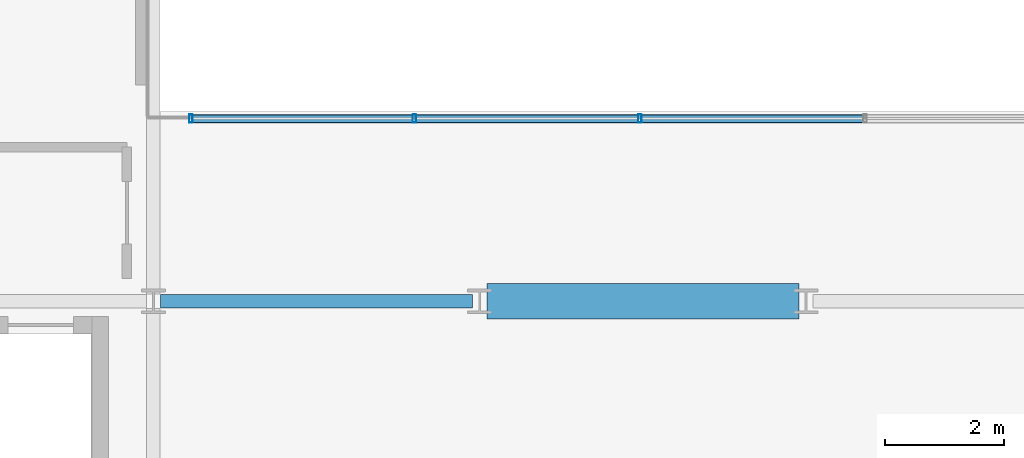
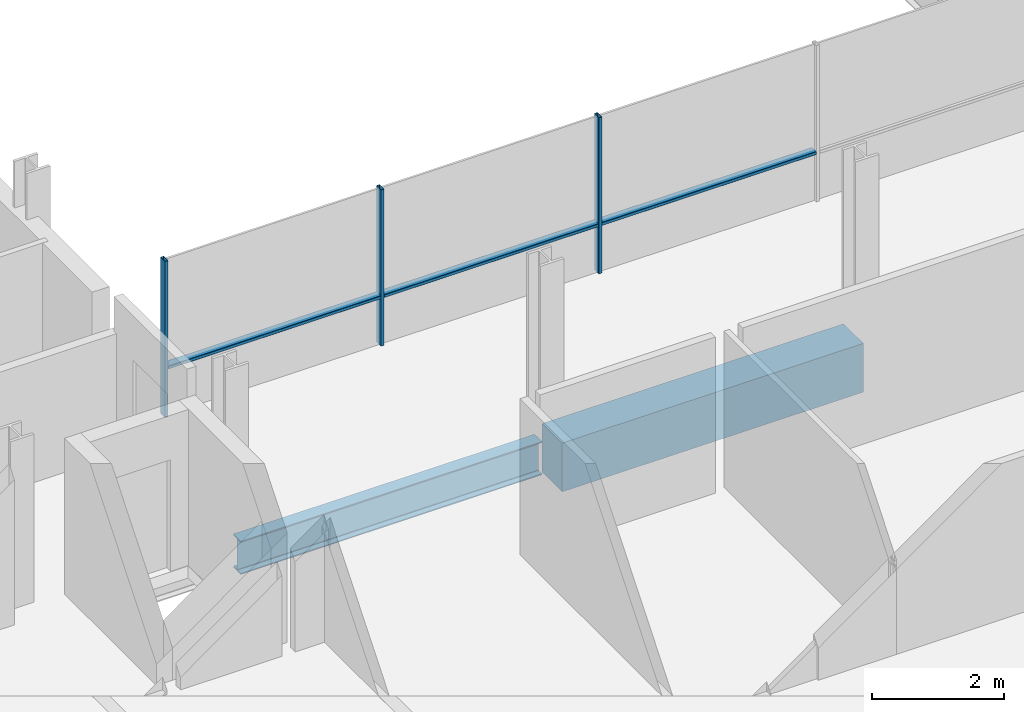
# One storey, part 4 of 41: 6 members, 2 beams, 1 element without a shape of its own.
"""IFC4 building model written with IfcOpenShell, lengths in metres."""

from ifc_helpers import new_model, si_unit, direction, frame, origin, origin_2d, place, context, subcontext, project, spatial, rectangle, hollow_rectangle, i_section, extrude, material, layer, layer_set, material_profile, profile_set, type_object, element, aggregate, save


model = new_model("IFC4")

# Units and contexts
model_context = context("Model", 3, precision=1e-05, world=origin(), true_north=direction((0.0, 1.0)))
body_context = subcontext(model_context, "Body", "Model", "MODEL_VIEW")
ifc_project = project(units=[si_unit("LENGTHUNIT", "METRE"), si_unit("AREAUNIT", "SQUARE_METRE"), si_unit("VOLUMEUNIT", "CUBIC_METRE"), si_unit("PLANEANGLEUNIT", "RADIAN"), si_unit("MASSUNIT", "GRAM", prefix="KILO")], contexts=[model_context])

# Site, building, storey
site_placement = place(None, origin())
site = spatial("IfcSite", under=ifc_project, at=site_placement, CompositionType="ELEMENT")
building_placement = place(site_placement, origin())
building = spatial("IfcBuilding", under=site, at=building_placement, Name="Brevholm Reach", CompositionType="ELEMENT")
storey_placement = place(building_placement, frame((0.0, 0.0, 106.60009765625)))
storey = spatial("IfcBuildingStorey", under=building, at=storey_placement, Name="L31", CompositionType="ELEMENT", Elevation=106.60009765625)

# Beams
ifc_material_1 = material(Name="Concrete C50/60", Category="concrete")
ifc_material_profile_1 = material_profile(ifc_material_1, rectangle(XDim=0.60009765625, YDim=0.89990234375, at=origin_2d()), Name="RC 600x900")
ifc_profile_set_1 = profile_set([ifc_material_profile_1], Name="Concrete C50/60")
beam_type_1 = type_object("IfcBeamType", Name="BM-CB600", PredefinedType="LINTEL", material=ifc_profile_set_1)
beam_1_placement = place(storey_placement, frame((27.3701171875, 10.0, -0.670166015625), z_axis=(1.0, 0.0, 0.0), x_axis=(0.0, 1.0, 0.0)))
element("IfcBeam", 1, at=beam_1_placement, inside=storey, type_object=beam_type_1, Name="L31 CB-02 Framing Beam", PredefinedType="LINTEL", context=body_context, shape_type="SweptSolid", body=[
    extrude(rectangle(XDim=0.60009765625, YDim=0.89990234375, at=origin_2d()), origin(), (0.0, 0.0, 1.0), 5.259765625),
])
ifc_material_2 = material(Name="Structural Steel S355J2", Category="steel")
ifc_material_profile_2 = material_profile(ifc_material_2, i_section(OverallWidth=0.22900390625, OverallDepth=0.6123046875, WebThickness=0.011962890625, FlangeThickness=0.01953125, FilletRadius=0.0126953125, at=origin_2d()), Name="UKB 610x229x125")
ifc_profile_set_2 = profile_set([ifc_material_profile_2], Name="Structural Steel S355J2")
beam_type_2 = type_object("IfcBeamType", Name="BM-SP610", PredefinedType="SPANDREL", material=ifc_profile_set_2)
beam_2_placement = place(storey_placement, frame((21.8701171875, 10.0, -0.526123046875), z_axis=(1.0, 0.0, 0.0), x_axis=(0.0, 1.0, 0.0)))
element("IfcBeam", 2, at=beam_2_placement, inside=storey, type_object=beam_type_2, Name="L31 SP-01 Framing Beam", PredefinedType="SPANDREL", context=body_context, shape_type="SweptSolid", body=[
    extrude(i_section(OverallWidth=0.22900390625, OverallDepth=0.6123046875, WebThickness=0.011962890625, FlangeThickness=0.01953125, FilletRadius=0.0126953125, at=origin_2d()), origin(), (0.0, 0.0, 1.0), 5.259765625),
])

# Curtain wall, members
ifc_material_3 = material(Name="Dark Anodised Aluminium 6063-T6 and Solar-Control Glass", Category="aluminium")
ifc_layer = layer(ifc_material_3, 0.139892578125)
ifc_layer_set = layer_set([ifc_layer], Name="Dark Anodised Aluminium 6063-T6 and Solar-Control Glass")
curtain_wall_type = type_object("IfcCurtainWallType", Name="CW-02", PredefinedType="NOTDEFINED", material=ifc_layer_set)
curtain_wall_placement = place(storey_placement, origin())
curtain_wall = element("IfcCurtainWall", 3, at=curtain_wall_placement, inside=storey, type_object=curtain_wall_type, Name="L31 Curtain Wall CW-02", PredefinedType="NOTDEFINED")
ifc_material_4 = material(Name="Dark Anodised Aluminium 6063-T6", Category="aluminium")
ifc_material_profile_3 = material_profile(ifc_material_4, hollow_rectangle(XDim=0.06005859375, YDim=0.139892578125, WallThickness=0.0048828125, InnerFilletRadius=0.0048828125, OuterFilletRadius=0.010009765625, at=origin_2d()), Name="RHS 140x60x5")
ifc_profile_set_3 = profile_set([ifc_material_profile_3], Name="Dark Anodised Aluminium 6063-T6")
member_type_1 = type_object("IfcMemberType", Name="CWM-140", PredefinedType="MULLION", material=ifc_profile_set_3)
member_1_placement = place(storey_placement, frame((22.3798828125, 13.080078125, 0.0), z_axis=(0.0, 0.0, 1.0), x_axis=(1.0, 0.0, 0.0)))
member_1 = element("IfcMember", 4, at=member_1_placement, type_object=member_type_1, Name="CM-140 Mullion 1", PredefinedType="MULLION", context=body_context, shape_type="SweptSolid", body=[
    extrude(hollow_rectangle(XDim=0.06005859375, YDim=0.139892578125, WallThickness=0.0048828125, InnerFilletRadius=0.0048828125, OuterFilletRadius=0.010009765625, at=origin_2d()), origin(), (0.0, 0.0, 1.0), 2.8798828125),
])
member_2_placement = place(storey_placement, frame((26.14990234375, 13.080078125, 0.0), z_axis=(0.0, 0.0, 1.0), x_axis=(1.0, 0.0, 0.0)))
member_2 = element("IfcMember", 5, at=member_2_placement, type_object=member_type_1, Name="CM-140 Mullion 2", PredefinedType="MULLION", context=body_context, shape_type="SweptSolid", body=[
    extrude(hollow_rectangle(XDim=0.06005859375, YDim=0.139892578125, WallThickness=0.0048828125, InnerFilletRadius=0.0048828125, OuterFilletRadius=0.010009765625, at=origin_2d()), origin(), (0.0, 0.0, 1.0), 2.8798828125),
])
member_3_placement = place(storey_placement, frame((29.949951171875, 13.080078125, 0.0), z_axis=(0.0, 0.0, 1.0), x_axis=(1.0, 0.0, 0.0)))
member_3 = element("IfcMember", 6, at=member_3_placement, type_object=member_type_1, Name="CM-140 Mullion 3", PredefinedType="MULLION", context=body_context, shape_type="SweptSolid", body=[
    extrude(hollow_rectangle(XDim=0.06005859375, YDim=0.139892578125, WallThickness=0.0048828125, InnerFilletRadius=0.0048828125, OuterFilletRadius=0.010009765625, at=origin_2d()), origin(), (0.0, 0.0, 1.0), 2.8798828125),
])
ifc_material_5 = material(Name="Dark Anodised Aluminium 6063-T6", Category="aluminium")
ifc_material_profile_4 = material_profile(ifc_material_5, hollow_rectangle(XDim=0.06005859375, YDim=0.139892578125, WallThickness=0.0048828125, InnerFilletRadius=0.0048828125, OuterFilletRadius=0.010009765625, at=origin_2d()), Name="RHS 140x60x5")
ifc_profile_set_4 = profile_set([ifc_material_profile_4], Name="Dark Anodised Aluminium 6063-T6")
member_type_2 = type_object("IfcMemberType", Name="CWT-140", PredefinedType="NOTDEFINED", material=ifc_profile_set_4)
member_4_placement = place(storey_placement, frame((22.409912109375, 13.080078125, 0.89990234375), z_axis=(1.0, 0.0, 0.0), x_axis=(0.0, 0.0, 1.0)))
member_4 = element("IfcMember", 7, at=member_4_placement, type_object=member_type_2, Name="CT-140 Transom 1.1", ObjectType="TRANSOM", PredefinedType="USERDEFINED", context=body_context, shape_type="SweptSolid", body=[
    extrude(hollow_rectangle(XDim=0.06005859375, YDim=0.139892578125, WallThickness=0.0048828125, InnerFilletRadius=0.0048828125, OuterFilletRadius=0.010009765625, at=origin_2d()), origin(), (0.0, 0.0, 1.0), 3.710205078125),
])
member_5_placement = place(storey_placement, frame((26.179931640625, 13.080078125, 0.89990234375), z_axis=(1.0, 0.0, 0.0), x_axis=(0.0, 0.0, 1.0)))
member_5 = element("IfcMember", 8, at=member_5_placement, type_object=member_type_2, Name="CT-140 Transom 2.1", ObjectType="TRANSOM", PredefinedType="USERDEFINED", context=body_context, shape_type="SweptSolid", body=[
    extrude(hollow_rectangle(XDim=0.06005859375, YDim=0.139892578125, WallThickness=0.0048828125, InnerFilletRadius=0.0048828125, OuterFilletRadius=0.010009765625, at=origin_2d()), origin(), (0.0, 0.0, 1.0), 3.739990234375),
])
member_6_placement = place(storey_placement, frame((29.97998046875, 13.080078125, 0.89990234375), z_axis=(1.0, 0.0, 0.0), x_axis=(0.0, 0.0, 1.0)))
member_6 = element("IfcMember", 9, at=member_6_placement, type_object=member_type_2, Name="CT-140 Transom 3.1", ObjectType="TRANSOM", PredefinedType="USERDEFINED", context=body_context, shape_type="SweptSolid", body=[
    extrude(hollow_rectangle(XDim=0.06005859375, YDim=0.139892578125, WallThickness=0.0048828125, InnerFilletRadius=0.0048828125, OuterFilletRadius=0.010009765625, at=origin_2d()), origin(), (0.0, 0.0, 1.0), 3.739990234375),
])
aggregate(curtain_wall, [member_1, member_2, member_3, member_4, member_5, member_6])

save(model, "model.ifc")
